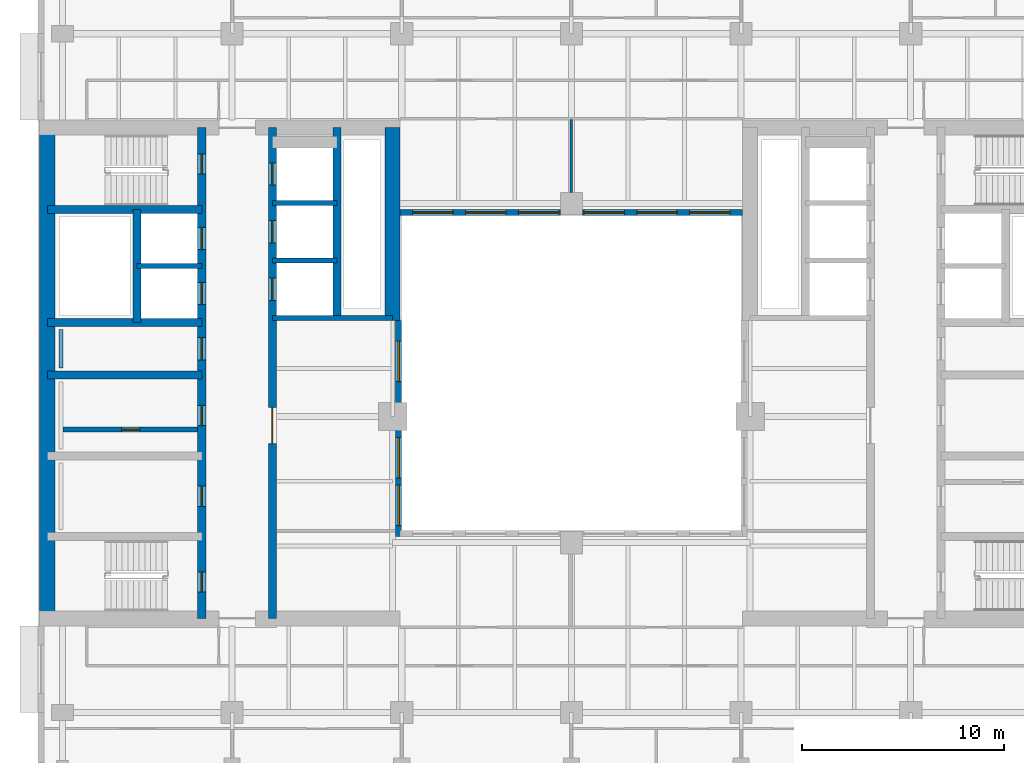
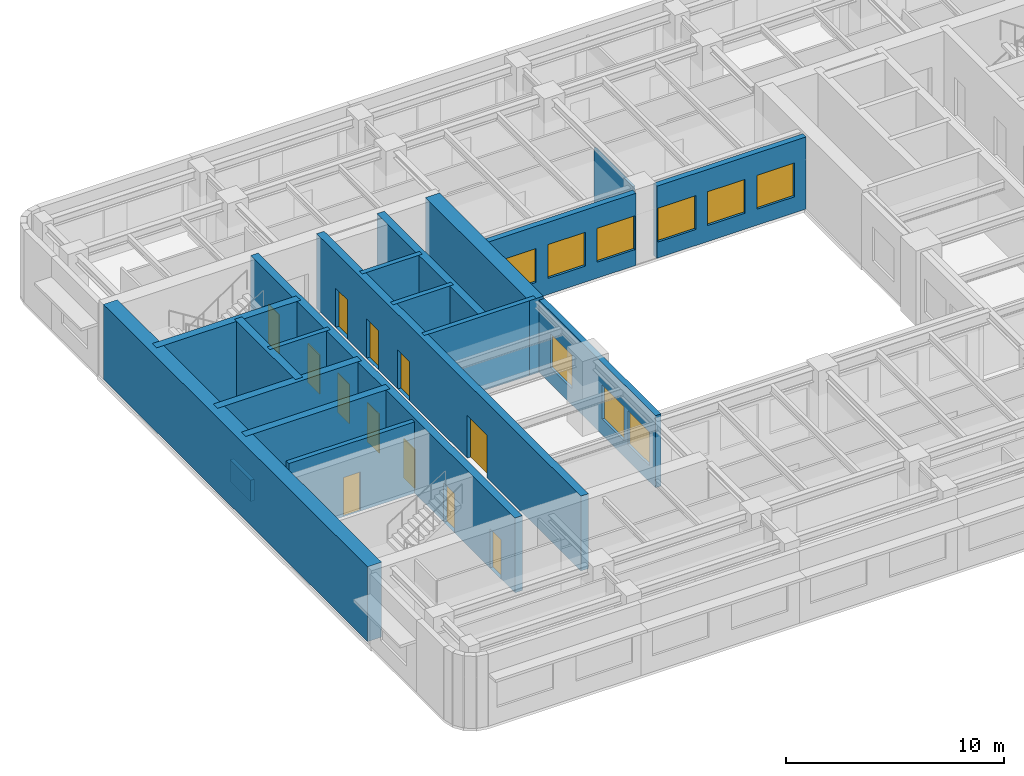
# One storey, part 4 of 11: 19 walls, 12 doors, 9 windows, 21 openings.
"""IFC4 building model written with IfcOpenShell, lengths in metres."""

from ifc_helpers import new_model, si_unit, direction, frame, frame_2d, origin, place, context, subcontext, project, spatial, rectangle, extrude, material, layer, layer_set, type_object, element, fill, save


model = new_model("IFC4")

# Units and contexts
model_context = context("Model", 3, precision=1e-05, world=origin(), true_north=direction((0.0, 1.0)))
body_context = subcontext(model_context, "Body", "Model", "MODEL_VIEW")
ifc_project = project(units=[si_unit("LENGTHUNIT", "METRE"), si_unit("AREAUNIT", "SQUARE_METRE"), si_unit("VOLUMEUNIT", "CUBIC_METRE"), si_unit("PLANEANGLEUNIT", "RADIAN"), si_unit("MASSUNIT", "GRAM", prefix="KILO")], contexts=[model_context])

# Site, building, storey
site_placement = place(None, origin())
site = spatial("IfcSite", under=ifc_project, at=site_placement, CompositionType="ELEMENT")
building_placement = place(site_placement, origin())
building = spatial("IfcBuilding", under=site, at=building_placement, Name="Claustro Exchange Tower", CompositionType="ELEMENT")
storey_placement = place(building_placement, frame((0.0, 0.0, 232.199951171875)))
storey = spatial("IfcBuildingStorey", under=building, at=storey_placement, Name="L53", CompositionType="ELEMENT", Elevation=232.199951171875)

# Wall
ifc_material_1 = material(Name="Laminated glass in aluminium frame", Category="aluminium")
ifc_layer_1 = layer(ifc_material_1, 0.1201171875)
ifc_layer_set_1 = layer_set([ifc_layer_1], Name="Laminated glass in aluminium frame")
wall_type_1 = type_object("IfcWallType", Name="P2 120 glazed partition", PredefinedType="PARTITIONING", material=ifc_layer_set_1)
wall_1_placement = place(storey_placement, frame((25.199951171875, 34.14892578125, 0.0), z_axis=(0.0, 0.0, 1.0), x_axis=(0.0, 1.0, 0.0)))
element("IfcWall", 1, at=wall_1_placement, inside=storey, type_object=wall_type_1, Name="Partition P2 L53", PredefinedType="PARTITIONING", context=body_context, shape_type="SweptSolid", body=[
    extrude(rectangle(XDim=3.593017578125, YDim=0.1201171875, at=frame_2d((1.79638671875, 0.0))), origin(), (0.0, 0.0, 1.0), 3.550048828125),
])

# Wall, opening, door
ifc_material_2 = material(Name="Concrete blockwork, rendered", Category="masonry")
ifc_layer_2 = layer(ifc_material_2, 0.25)
ifc_layer_set_2 = layer_set([ifc_layer_2], Name="Concrete blockwork, rendered")
wall_type_2 = type_object("IfcWallType", Name="P4 250 blockwork wall", PredefinedType="PARTITIONING", material=ifc_layer_set_2)
wall_2_placement = place(storey_placement, frame((0.02490234375, 22.39990234375, 0.0), z_axis=(0.0, 0.0, 1.0), x_axis=(1.0, 0.0, 0.0)))
wall_2 = element("IfcWall", 2, at=wall_2_placement, inside=storey, type_object=wall_type_2, Name="Partition P4 L53", PredefinedType="PARTITIONING", context=body_context, shape_type="SweptSolid", body=[
    extrude(rectangle(XDim=6.675048828125, YDim=0.25, at=frame_2d((3.33740234375, 0.0))), origin(), (0.0, 0.0, 1.0), 4.0),
])
opening_1_placement = place(wall_2_placement, frame((2.91259765625, 0.0, 0.0)))
opening_1 = element("IfcOpeningElement", 3, at=opening_1_placement, cuts=wall_2, Name="Opening D5", PredefinedType="OPENING", context=body_context, shape_type="SweptSolid", body=[
    extrude(rectangle(XDim=0.89990234375, YDim=2.199951171875, at=frame_2d((0.449951171875, 1.10009765625))), frame((0.0, 0.135009765625, 0.0), z_axis=(0.0, -1.0, 0.0), x_axis=(1.0, 0.0, 0.0)), (0.0, 0.0, 1.0), 0.27001953125),
])
ifc_material_3 = material(Name="Steel door, painted", Category="steel")
door_type_1 = type_object("IfcDoorType", Name="D5 900 x 2200 store door", OperationType="SINGLE_SWING_LEFT", PredefinedType="DOOR", material=ifc_material_3)
door_1_placement = place(opening_1_placement, frame((0.89990234375, 0.0, 0.0), z_axis=(0.0, 0.0, 1.0), x_axis=(-1.0, 0.0, 0.0)))
door_1 = element("IfcDoor", 4, at=door_1_placement, inside=storey, type_object=door_type_1, Name="Store door D5 L53", OperationType="SINGLE_SWING_LEFT", OverallHeight=2.199951171875, OverallWidth=0.89990234375, PredefinedType="DOOR", context=body_context, shape_type="SweptSolid", body=[
    extrude(rectangle(XDim=0.89990234375, YDim=2.199951171875, at=frame_2d((0.449951171875, 1.10009765625))), frame((0.0, 0.02490234375, 0.0), z_axis=(0.0, -1.0, 0.0), x_axis=(1.0, 0.0, 0.0)), (0.0, 0.0, 1.0), 0.050048828125),
])
fill(opening_1, door_1)

# Wall, openings, windows
ifc_material_4 = material(Name="Concrete HA-40 (C40/50), precast, white cement, acid-etched", Category="concrete")
ifc_layer_3 = layer(ifc_material_4, 0.300048828125)
ifc_layer_set_3 = layer_set([ifc_layer_3], Name="Concrete HA-40 (C40/50), precast, white cement, acid-etched")
wall_type_3 = type_object("IfcWallType", Name="PC1 300 precast concrete pier panel", PredefinedType="SOLIDWALL", material=ifc_layer_set_3)
wall_3_placement = place(storey_placement, frame((16.64990234375, 17.10009765625, 0.0), z_axis=(0.0, 0.0, 1.0), x_axis=(0.0, 1.0, 0.0)))
wall_3 = element("IfcWall", 5, at=wall_3_placement, inside=storey, type_object=wall_type_3, Name="Precast pier panel PC1 L53", PredefinedType="SOLIDWALL", context=body_context, shape_type="SweptSolid", body=[
    extrude(rectangle(XDim=10.699951171875, YDim=0.300048828125, at=frame_2d((5.35009765625, 0.0))), origin(), (0.0, 0.0, 1.0), 4.050048828125),
])
opening_2_placement = place(wall_3_placement, frame((0.550048828125, 0.0, 0.89990234375)))
opening_2 = element("IfcOpeningElement", 6, at=opening_2_placement, cuts=wall_3, Name="Opening W4", PredefinedType="OPENING", context=body_context, shape_type="SweptSolid", body=[
    extrude(rectangle(XDim=2.0, YDim=1.89990234375, at=frame_2d((1.0, 0.949951171875))), frame((0.0, 0.159912109375, 0.0), z_axis=(0.0, -1.0, 0.0), x_axis=(1.0, 0.0, 0.0)), (0.0, 0.0, 1.0), 0.320068359375),
])
opening_3_placement = place(wall_3_placement, frame((2.89990234375, 0.0, 0.89990234375)))
opening_3 = element("IfcOpeningElement", 7, at=opening_3_placement, cuts=wall_3, Name="Opening W4", PredefinedType="OPENING", context=body_context, shape_type="SweptSolid", body=[
    extrude(rectangle(XDim=2.0, YDim=1.89990234375, at=frame_2d((1.0, 0.949951171875))), frame((0.0, 0.159912109375, 0.0), z_axis=(0.0, -1.0, 0.0), x_axis=(1.0, 0.0, 0.0)), (0.0, 0.0, 1.0), 0.320068359375),
])
opening_4_placement = place(wall_3_placement, frame((7.675048828125, 0.0, 0.89990234375)))
opening_4 = element("IfcOpeningElement", 8, at=opening_4_placement, cuts=wall_3, Name="Opening W4", PredefinedType="OPENING", context=body_context, shape_type="SweptSolid", body=[
    extrude(rectangle(XDim=2.0, YDim=1.89990234375, at=frame_2d((1.0, 0.949951171875))), frame((0.0, 0.159912109375, 0.0), z_axis=(0.0, -1.0, 0.0), x_axis=(1.0, 0.0, 0.0)), (0.0, 0.0, 1.0), 0.320068359375),
])
ifc_material_5 = material(Name="Aluminium frame, clear double glazing", Category="aluminium")
window_type = type_object("IfcWindowType", Name="W4 2000 x 1900 light well window", PartitioningType="SINGLE_PANEL", PredefinedType="WINDOW", material=ifc_material_5)
window_1_placement = place(opening_2_placement, origin())
window_1 = element("IfcWindow", 9, at=window_1_placement, inside=storey, type_object=window_type, Name="Window W4 L53", OverallHeight=1.89990234375, OverallWidth=2.0, PartitioningType="SINGLE_PANEL", PredefinedType="WINDOW", context=body_context, shape_type="SweptSolid", body=[
    extrude(rectangle(XDim=2.0, YDim=1.89990234375, at=frame_2d((1.0, 0.949951171875))), frame((0.0, 0.030029296875, 0.0), z_axis=(0.0, -1.0, 0.0), x_axis=(1.0, 0.0, 0.0)), (0.0, 0.0, 1.0), 0.06005859375),
])
fill(opening_2, window_1)
window_2_placement = place(opening_3_placement, origin())
window_2 = element("IfcWindow", 10, at=window_2_placement, inside=storey, type_object=window_type, Name="Window W4 L53", OverallHeight=1.89990234375, OverallWidth=2.0, PartitioningType="SINGLE_PANEL", PredefinedType="WINDOW", context=body_context, shape_type="SweptSolid", body=[
    extrude(rectangle(XDim=2.0, YDim=1.89990234375, at=frame_2d((1.0, 0.949951171875))), frame((0.0, 0.030029296875, 0.0), z_axis=(0.0, -1.0, 0.0), x_axis=(1.0, 0.0, 0.0)), (0.0, 0.0, 1.0), 0.06005859375),
])
fill(opening_3, window_2)
window_3_placement = place(opening_4_placement, origin())
window_3 = element("IfcWindow", 11, at=window_3_placement, inside=storey, type_object=window_type, Name="Window W4 L53", OverallHeight=1.89990234375, OverallWidth=2.0, PartitioningType="SINGLE_PANEL", PredefinedType="WINDOW", context=body_context, shape_type="SweptSolid", body=[
    extrude(rectangle(XDim=2.0, YDim=1.89990234375, at=frame_2d((1.0, 0.949951171875))), frame((0.0, 0.030029296875, 0.0), z_axis=(0.0, -1.0, 0.0), x_axis=(1.0, 0.0, 0.0)), (0.0, 0.0, 1.0), 0.06005859375),
])
fill(opening_4, window_3)

wall_4_placement = place(storey_placement, frame((16.72509765625, 33.14990234375, 0.0), z_axis=(0.0, 0.0, 1.0), x_axis=(1.0, 0.0, 0.0)))
wall_4 = element("IfcWall", 12, at=wall_4_placement, inside=storey, type_object=wall_type_3, Name="Precast pier panel PC1 L53", PredefinedType="SOLIDWALL", context=body_context, shape_type="SweptSolid", body=[
    extrude(rectangle(XDim=7.9248046875, YDim=0.300048828125, at=frame_2d((3.96240234375, 0.0))), origin(), (0.0, 0.0, 1.0), 4.050048828125),
])
opening_5_placement = place(wall_4_placement, frame((0.61865234375, 0.0, 0.89990234375)))
opening_5 = element("IfcOpeningElement", 13, at=opening_5_placement, cuts=wall_4, Name="Opening W4", PredefinedType="OPENING", context=body_context, shape_type="SweptSolid", body=[
    extrude(rectangle(XDim=2.0, YDim=1.89990234375, at=frame_2d((1.0, 0.949951171875))), frame((0.0, 0.159912109375, 0.0), z_axis=(0.0, -1.0, 0.0), x_axis=(1.0, 0.0, 0.0)), (0.0, 0.0, 1.0), 0.320068359375),
])
opening_6_placement = place(wall_4_placement, frame((3.237548828125, 0.0, 0.89990234375)))
opening_6 = element("IfcOpeningElement", 14, at=opening_6_placement, cuts=wall_4, Name="Opening W4", PredefinedType="OPENING", context=body_context, shape_type="SweptSolid", body=[
    extrude(rectangle(XDim=2.0, YDim=1.89990234375, at=frame_2d((1.0, 0.949951171875))), frame((0.0, 0.159912109375, 0.0), z_axis=(0.0, -1.0, 0.0), x_axis=(1.0, 0.0, 0.0)), (0.0, 0.0, 1.0), 0.320068359375),
])
opening_7_placement = place(wall_4_placement, frame((5.856201171875, 0.0, 0.89990234375)))
opening_7 = element("IfcOpeningElement", 15, at=opening_7_placement, cuts=wall_4, Name="Opening W4", PredefinedType="OPENING", context=body_context, shape_type="SweptSolid", body=[
    extrude(rectangle(XDim=2.0, YDim=1.89990234375, at=frame_2d((1.0, 0.949951171875))), frame((0.0, 0.159912109375, 0.0), z_axis=(0.0, -1.0, 0.0), x_axis=(1.0, 0.0, 0.0)), (0.0, 0.0, 1.0), 0.320068359375),
])
window_4_placement = place(opening_5_placement, origin())
window_4 = element("IfcWindow", 16, at=window_4_placement, inside=storey, type_object=window_type, Name="Window W4 L53", OverallHeight=1.89990234375, OverallWidth=2.0, PartitioningType="SINGLE_PANEL", PredefinedType="WINDOW", context=body_context, shape_type="SweptSolid", body=[
    extrude(rectangle(XDim=2.0, YDim=1.89990234375, at=frame_2d((1.0, 0.949951171875))), frame((0.0, 0.030029296875, 0.0), z_axis=(0.0, -1.0, 0.0), x_axis=(1.0, 0.0, 0.0)), (0.0, 0.0, 1.0), 0.06005859375),
])
fill(opening_5, window_4)
window_5_placement = place(opening_6_placement, origin())
window_5 = element("IfcWindow", 17, at=window_5_placement, inside=storey, type_object=window_type, Name="Window W4 L53", OverallHeight=1.89990234375, OverallWidth=2.0, PartitioningType="SINGLE_PANEL", PredefinedType="WINDOW", context=body_context, shape_type="SweptSolid", body=[
    extrude(rectangle(XDim=2.0, YDim=1.89990234375, at=frame_2d((1.0, 0.949951171875))), frame((0.0, 0.030029296875, 0.0), z_axis=(0.0, -1.0, 0.0), x_axis=(1.0, 0.0, 0.0)), (0.0, 0.0, 1.0), 0.06005859375),
])
fill(opening_6, window_5)
window_6_placement = place(opening_7_placement, origin())
window_6 = element("IfcWindow", 18, at=window_6_placement, inside=storey, type_object=window_type, Name="Window W4 L53", OverallHeight=1.89990234375, OverallWidth=2.0, PartitioningType="SINGLE_PANEL", PredefinedType="WINDOW", context=body_context, shape_type="SweptSolid", body=[
    extrude(rectangle(XDim=2.0, YDim=1.89990234375, at=frame_2d((1.0, 0.949951171875))), frame((0.0, 0.030029296875, 0.0), z_axis=(0.0, -1.0, 0.0), x_axis=(1.0, 0.0, 0.0)), (0.0, 0.0, 1.0), 0.06005859375),
])
fill(opening_7, window_6)

wall_5_placement = place(storey_placement, frame((25.75, 33.14990234375, 0.0), z_axis=(0.0, 0.0, 1.0), x_axis=(1.0, 0.0, 0.0)))
wall_5 = element("IfcWall", 19, at=wall_5_placement, inside=storey, type_object=wall_type_3, Name="Precast pier panel PC1 L53", PredefinedType="SOLIDWALL", context=body_context, shape_type="SweptSolid", body=[
    extrude(rectangle(XDim=7.925048828125, YDim=0.300048828125, at=frame_2d((3.96240234375, 0.0))), origin(), (0.0, 0.0, 1.0), 4.050048828125),
])
opening_8_placement = place(wall_5_placement, frame((0.068603515625, 0.0, 0.89990234375)))
opening_8 = element("IfcOpeningElement", 20, at=opening_8_placement, cuts=wall_5, Name="Opening W4", PredefinedType="OPENING", context=body_context, shape_type="SweptSolid", body=[
    extrude(rectangle(XDim=2.0, YDim=1.89990234375, at=frame_2d((1.0, 0.949951171875))), frame((0.0, 0.159912109375, 0.0), z_axis=(0.0, -1.0, 0.0), x_axis=(1.0, 0.0, 0.0)), (0.0, 0.0, 1.0), 0.320068359375),
])
opening_9_placement = place(wall_5_placement, frame((2.6875, 0.0, 0.89990234375)))
opening_9 = element("IfcOpeningElement", 21, at=opening_9_placement, cuts=wall_5, Name="Opening W4", PredefinedType="OPENING", context=body_context, shape_type="SweptSolid", body=[
    extrude(rectangle(XDim=2.0, YDim=1.89990234375, at=frame_2d((1.0, 0.949951171875))), frame((0.0, 0.159912109375, 0.0), z_axis=(0.0, -1.0, 0.0), x_axis=(1.0, 0.0, 0.0)), (0.0, 0.0, 1.0), 0.320068359375),
])
opening_10_placement = place(wall_5_placement, frame((5.30615234375, 0.0, 0.89990234375)))
opening_10 = element("IfcOpeningElement", 22, at=opening_10_placement, cuts=wall_5, Name="Opening W4", PredefinedType="OPENING", context=body_context, shape_type="SweptSolid", body=[
    extrude(rectangle(XDim=2.0, YDim=1.89990234375, at=frame_2d((1.0, 0.949951171875))), frame((0.0, 0.159912109375, 0.0), z_axis=(0.0, -1.0, 0.0), x_axis=(1.0, 0.0, 0.0)), (0.0, 0.0, 1.0), 0.320068359375),
])
window_7_placement = place(opening_8_placement, origin())
window_7 = element("IfcWindow", 23, at=window_7_placement, inside=storey, type_object=window_type, Name="Window W4 L53", OverallHeight=1.89990234375, OverallWidth=2.0, PartitioningType="SINGLE_PANEL", PredefinedType="WINDOW", context=body_context, shape_type="SweptSolid", body=[
    extrude(rectangle(XDim=2.0, YDim=1.89990234375, at=frame_2d((1.0, 0.949951171875))), frame((0.0, 0.030029296875, 0.0), z_axis=(0.0, -1.0, 0.0), x_axis=(1.0, 0.0, 0.0)), (0.0, 0.0, 1.0), 0.06005859375),
])
fill(opening_8, window_7)
window_8_placement = place(opening_9_placement, origin())
window_8 = element("IfcWindow", 24, at=window_8_placement, inside=storey, type_object=window_type, Name="Window W4 L53", OverallHeight=1.89990234375, OverallWidth=2.0, PartitioningType="SINGLE_PANEL", PredefinedType="WINDOW", context=body_context, shape_type="SweptSolid", body=[
    extrude(rectangle(XDim=2.0, YDim=1.89990234375, at=frame_2d((1.0, 0.949951171875))), frame((0.0, 0.030029296875, 0.0), z_axis=(0.0, -1.0, 0.0), x_axis=(1.0, 0.0, 0.0)), (0.0, 0.0, 1.0), 0.06005859375),
])
fill(opening_9, window_8)
window_9_placement = place(opening_10_placement, origin())
window_9 = element("IfcWindow", 25, at=window_9_placement, inside=storey, type_object=window_type, Name="Window W4 L53", OverallHeight=1.89990234375, OverallWidth=2.0, PartitioningType="SINGLE_PANEL", PredefinedType="WINDOW", context=body_context, shape_type="SweptSolid", body=[
    extrude(rectangle(XDim=2.0, YDim=1.89990234375, at=frame_2d((1.0, 0.949951171875))), frame((0.0, 0.030029296875, 0.0), z_axis=(0.0, -1.0, 0.0), x_axis=(1.0, 0.0, 0.0)), (0.0, 0.0, 1.0), 0.06005859375),
])
fill(opening_10, window_9)

# Walls
ifc_material_6 = material(Name="Gypsum board on steel studs, tiled", Category="steel")
ifc_layer_4 = layer(ifc_material_6, 0.199951171875)
ifc_layer_set_4 = layer_set([ifc_layer_4], Name="Gypsum board on steel studs, tiled")
wall_type_4 = type_object("IfcWallType", Name="PW1 200 WC duct wall", PredefinedType="PLUMBINGWALL", material=ifc_layer_set_4)
wall_6_placement = place(storey_placement, frame((-0.074951171875, 25.449951171875, 0.0), z_axis=(0.0, 0.0, 1.0), x_axis=(0.0, 1.0, 0.0)))
element("IfcWall", 26, at=wall_6_placement, inside=storey, type_object=wall_type_4, Name="WC duct wall PW1 L53", PredefinedType="PLUMBINGWALL", context=body_context, shape_type="SweptSolid", body=[
    extrude(rectangle(XDim=1.900146484375, YDim=0.199951171875, at=frame_2d((0.9501953125, 0.0))), origin(), (0.0, 0.0, 1.0), 1.199951171875),
])
ifc_material_7 = material(Name="Concrete HA-70 (C70/85)", Category="concrete")
ifc_layer_5 = layer(ifc_material_7, 0.75)
ifc_layer_set_5 = layer_set([ifc_layer_5], Name="Concrete HA-70 (C70/85)")
wall_type_5 = type_object("IfcWallType", Name="SW2X 750 exposed core shear wall, board-marked face", PredefinedType="SHEAR", material=ifc_layer_set_5)
wall_7_placement = place(storey_placement, frame((-0.75, 13.050048828125, 0.0), z_axis=(0.0, 0.0, 1.0), x_axis=(0.0, 1.0, 0.0)))
element("IfcWall", 27, at=wall_7_placement, inside=storey, type_object=wall_type_5, Name="Core wall SW2X W core W face L53", PredefinedType="SHEAR", context=body_context, shape_type="SweptSolid", body=[
    extrude(rectangle(XDim=24.300048828125, YDim=0.75, at=frame_2d((12.14990234375, 0.0))), origin(), (0.0, 0.0, 1.0), 4.199951171875),
])
wall_8_placement = place(storey_placement, frame((16.35009765625, 27.800048828125, 0.0), z_axis=(0.0, 0.0, 1.0), x_axis=(0.0, 1.0, 0.0)))
element("IfcWall", 28, at=wall_8_placement, inside=storey, type_object=wall_type_5, Name="Core wall SW2X W core E face L53", PredefinedType="SHEAR", context=body_context, shape_type="SweptSolid", body=[
    extrude(rectangle(XDim=9.550048828125, YDim=0.75, at=frame_2d((4.77490234375, 0.0))), origin(), (0.0, 0.0, 1.0), 4.199951171875),
])

# Wall, openings, doors
ifc_material_8 = material(Name="Concrete HA-50 (C50/60)", Category="concrete")
ifc_layer_6 = layer(ifc_material_8, 0.39990234375)
ifc_layer_set_6 = layer_set([ifc_layer_6], Name="Concrete HA-50 (C50/60)")
wall_type_6 = type_object("IfcWallType", Name="SW4 400 internal core wall", PredefinedType="SHEAR", material=ifc_layer_set_6)
wall_9_placement = place(storey_placement, frame((6.89990234375, 13.050048828125, 0.0), z_axis=(0.0, 0.0, 1.0), x_axis=(0.0, 1.0, 0.0)))
wall_9 = element("IfcWall", 29, at=wall_9_placement, inside=storey, type_object=wall_type_6, Name="Internal core wall SW4 W core L53", PredefinedType="SHEAR", context=body_context, shape_type="SweptSolid", body=[
    extrude(rectangle(XDim=24.300048828125, YDim=0.39990234375, at=frame_2d((12.14990234375, 0.0))), origin(), (0.0, 0.0, 1.0), 4.199951171875),
])
opening_11_placement = place(wall_9_placement, frame((1.300048828125, 0.0, 0.0)))
opening_11 = element("IfcOpeningElement", 30, at=opening_11_placement, cuts=wall_9, Name="Opening D4", PredefinedType="OPENING", context=body_context, shape_type="SweptSolid", body=[
    extrude(rectangle(XDim=1.0, YDim=2.199951171875, at=frame_2d((0.5, 1.10009765625))), frame((0.0, 0.2099609375, 0.0), z_axis=(0.0, -1.0, 0.0), x_axis=(1.0, 0.0, 0.0)), (0.0, 0.0, 1.0), 0.419921875),
])
opening_12_placement = place(wall_9_placement, frame((22.0, 0.0, 0.0)))
opening_12 = element("IfcOpeningElement", 31, at=opening_12_placement, cuts=wall_9, Name="Opening D4", PredefinedType="OPENING", context=body_context, shape_type="SweptSolid", body=[
    extrude(rectangle(XDim=1.0, YDim=2.199951171875, at=frame_2d((0.5, 1.10009765625))), frame((0.0, 0.2099609375, 0.0), z_axis=(0.0, -1.0, 0.0), x_axis=(1.0, 0.0, 0.0)), (0.0, 0.0, 1.0), 0.419921875),
])
opening_13_placement = place(wall_9_placement, frame((5.550048828125, 0.0, 0.0)))
opening_13 = element("IfcOpeningElement", 32, at=opening_13_placement, cuts=wall_9, Name="Opening D1", PredefinedType="OPENING", context=body_context, shape_type="SweptSolid", body=[
    extrude(rectangle(XDim=1.0, YDim=2.199951171875, at=frame_2d((0.5, 1.10009765625))), frame((0.0, 0.2099609375, 0.0), z_axis=(0.0, -1.0, 0.0), x_axis=(1.0, 0.0, 0.0)), (0.0, 0.0, 1.0), 0.419921875),
])
opening_14_placement = place(wall_9_placement, frame((9.550048828125, 0.0, 0.0)))
opening_14 = element("IfcOpeningElement", 33, at=opening_14_placement, cuts=wall_9, Name="Opening D1", PredefinedType="OPENING", context=body_context, shape_type="SweptSolid", body=[
    extrude(rectangle(XDim=1.0, YDim=2.199951171875, at=frame_2d((0.5, 1.10009765625))), frame((0.0, 0.2099609375, 0.0), z_axis=(0.0, -1.0, 0.0), x_axis=(1.0, 0.0, 0.0)), (0.0, 0.0, 1.0), 0.419921875),
])
opening_15_placement = place(wall_9_placement, frame((12.800048828125, 0.0, 0.0)))
opening_15 = element("IfcOpeningElement", 34, at=opening_15_placement, cuts=wall_9, Name="Opening D10", PredefinedType="OPENING", context=body_context, shape_type="SweptSolid", body=[
    extrude(rectangle(XDim=1.10009765625, YDim=2.199951171875, at=frame_2d((0.550048828125, 1.10009765625))), frame((0.0, 0.2099609375, 0.0), z_axis=(0.0, -1.0, 0.0), x_axis=(1.0, 0.0, 0.0)), (0.0, 0.0, 1.0), 0.419921875),
])
opening_16_placement = place(wall_9_placement, frame((15.53759765625, 0.0, 0.0)))
opening_16 = element("IfcOpeningElement", 35, at=opening_16_placement, cuts=wall_9, Name="Opening LD", PredefinedType="OPENING", context=body_context, shape_type="SweptSolid", body=[
    extrude(rectangle(XDim=1.10009765625, YDim=2.199951171875, at=frame_2d((0.550048828125, 1.10009765625))), frame((0.0, 0.2099609375, 0.0), z_axis=(0.0, -1.0, 0.0), x_axis=(1.0, 0.0, 0.0)), (0.0, 0.0, 1.0), 0.419921875),
])
opening_17_placement = place(wall_9_placement, frame((18.262451171875, 0.0, 0.0)))
opening_17 = element("IfcOpeningElement", 36, at=opening_17_placement, cuts=wall_9, Name="Opening LD", PredefinedType="OPENING", context=body_context, shape_type="SweptSolid", body=[
    extrude(rectangle(XDim=1.10009765625, YDim=2.199951171875, at=frame_2d((0.550048828125, 1.10009765625))), frame((0.0, 0.2099609375, 0.0), z_axis=(0.0, -1.0, 0.0), x_axis=(1.0, 0.0, 0.0)), (0.0, 0.0, 1.0), 0.419921875),
])
ifc_material_9 = material(Name="Timber door, oak veneer", Category="wood")
door_type_2 = type_object("IfcDoorType", Name="D1 1000 x 2200 single door", OperationType="SINGLE_SWING_LEFT", PredefinedType="DOOR", material=ifc_material_9)
door_2_placement = place(opening_13_placement, origin())
door_2 = element("IfcDoor", 37, at=door_2_placement, inside=storey, type_object=door_type_2, Name="Door D1 L53", OperationType="SINGLE_SWING_RIGHT", OverallHeight=2.199951171875, OverallWidth=1.0, PredefinedType="DOOR", context=body_context, shape_type="SweptSolid", body=[
    extrude(rectangle(XDim=1.0, YDim=2.199951171875, at=frame_2d((0.5, 1.10009765625))), frame((0.0, 0.02490234375, 0.0), z_axis=(0.0, -1.0, 0.0), x_axis=(1.0, 0.0, 0.0)), (0.0, 0.0, 1.0), 0.050048828125),
])
fill(opening_13, door_2)
door_3_placement = place(opening_14_placement, origin())
door_3 = element("IfcDoor", 38, at=door_3_placement, inside=storey, type_object=door_type_2, Name="Door D1 L53", OperationType="SINGLE_SWING_LEFT", OverallHeight=2.199951171875, OverallWidth=1.0, PredefinedType="DOOR", context=body_context, shape_type="SweptSolid", body=[
    extrude(rectangle(XDim=1.0, YDim=2.199951171875, at=frame_2d((0.5, 1.10009765625))), frame((0.0, 0.02490234375, 0.0), z_axis=(0.0, -1.0, 0.0), x_axis=(1.0, 0.0, 0.0)), (0.0, 0.0, 1.0), 0.050048828125),
])
fill(opening_14, door_3)
ifc_material_10 = material(Name="Timber door, oak veneer", Category="wood")
door_type_3 = type_object("IfcDoorType", Name="D10 1100 x 2200 accessible WC door", OperationType="SINGLE_SWING_LEFT", PredefinedType="DOOR", material=ifc_material_10)
door_4_placement = place(opening_15_placement, frame((1.10009765625, 0.0, 0.0), z_axis=(0.0, 0.0, 1.0), x_axis=(-1.0, 0.0, 0.0)))
door_4 = element("IfcDoor", 39, at=door_4_placement, inside=storey, type_object=door_type_3, Name="Accessible WC door D10 L53", OperationType="SINGLE_SWING_LEFT", OverallHeight=2.199951171875, OverallWidth=1.10009765625, PredefinedType="DOOR", context=body_context, shape_type="SweptSolid", body=[
    extrude(rectangle(XDim=1.10009765625, YDim=2.199951171875, at=frame_2d((0.550048828125, 1.10009765625))), frame((0.0, 0.02490234375, 0.0), z_axis=(0.0, -1.0, 0.0), x_axis=(1.0, 0.0, 0.0)), (0.0, 0.0, 1.0), 0.050048828125),
])
fill(opening_15, door_4)
ifc_material_11 = material(Name="Steel fire door, painted", Category="steel")
door_type_4 = type_object("IfcDoorType", Name="D4 1000 x 2200 fire-rated stair door", OperationType="SINGLE_SWING_LEFT", PredefinedType="DOOR", material=ifc_material_11)
door_5_placement = place(opening_11_placement, origin())
door_5 = element("IfcDoor", 40, at=door_5_placement, inside=storey, type_object=door_type_4, Name="Stair door D4 L53", OperationType="SINGLE_SWING_LEFT", OverallHeight=2.199951171875, OverallWidth=1.0, PredefinedType="DOOR", context=body_context, shape_type="SweptSolid", body=[
    extrude(rectangle(XDim=1.0, YDim=2.199951171875, at=frame_2d((0.5, 1.10009765625))), frame((0.0, 0.02490234375, 0.0), z_axis=(0.0, -1.0, 0.0), x_axis=(1.0, 0.0, 0.0)), (0.0, 0.0, 1.0), 0.050048828125),
])
fill(opening_11, door_5)
door_6_placement = place(opening_12_placement, origin())
door_6 = element("IfcDoor", 41, at=door_6_placement, inside=storey, type_object=door_type_4, Name="Stair door D4 L53", OperationType="SINGLE_SWING_RIGHT", OverallHeight=2.199951171875, OverallWidth=1.0, PredefinedType="DOOR", context=body_context, shape_type="SweptSolid", body=[
    extrude(rectangle(XDim=1.0, YDim=2.199951171875, at=frame_2d((0.5, 1.10009765625))), frame((0.0, 0.02490234375, 0.0), z_axis=(0.0, -1.0, 0.0), x_axis=(1.0, 0.0, 0.0)), (0.0, 0.0, 1.0), 0.050048828125),
])
fill(opening_12, door_6)
ifc_material_12 = material(Name="Stainless steel sliding door", Category="steel")
door_type_5 = type_object("IfcDoorType", Name="LD 1100 x 2200 lift landing door", OperationType="DOUBLE_DOOR_SLIDING", PredefinedType="DOOR", material=ifc_material_12)
door_7_placement = place(opening_16_placement, origin())
door_7 = element("IfcDoor", 42, at=door_7_placement, inside=storey, type_object=door_type_5, Name="Lift landing door LEW1 LD L53", OperationType="DOUBLE_DOOR_SLIDING", OverallHeight=2.199951171875, OverallWidth=1.10009765625, PredefinedType="DOOR", context=body_context, shape_type="SweptSolid", body=[
    extrude(rectangle(XDim=1.10009765625, YDim=2.199951171875, at=frame_2d((0.550048828125, 1.10009765625))), frame((0.0, 0.02490234375, 0.0), z_axis=(0.0, -1.0, 0.0), x_axis=(1.0, 0.0, 0.0)), (0.0, 0.0, 1.0), 0.050048828125),
])
fill(opening_16, door_7)
door_8_placement = place(opening_17_placement, origin())
door_8 = element("IfcDoor", 43, at=door_8_placement, inside=storey, type_object=door_type_5, Name="Lift landing door LEW2 LD L53", OperationType="DOUBLE_DOOR_SLIDING", OverallHeight=2.199951171875, OverallWidth=1.10009765625, PredefinedType="DOOR", context=body_context, shape_type="SweptSolid", body=[
    extrude(rectangle(XDim=1.10009765625, YDim=2.199951171875, at=frame_2d((0.550048828125, 1.10009765625))), frame((0.0, 0.02490234375, 0.0), z_axis=(0.0, -1.0, 0.0), x_axis=(1.0, 0.0, 0.0)), (0.0, 0.0, 1.0), 0.050048828125),
])
fill(opening_17, door_8)

wall_10_placement = place(storey_placement, frame((10.39990234375, 13.050048828125, 0.0), z_axis=(0.0, 0.0, 1.0), x_axis=(0.0, 1.0, 0.0)))
wall_10 = element("IfcWall", 44, at=wall_10_placement, inside=storey, type_object=wall_type_6, Name="Internal core wall SW4 W core L53", PredefinedType="SHEAR", context=body_context, shape_type="SweptSolid", body=[
    extrude(rectangle(XDim=24.300048828125, YDim=0.39990234375, at=frame_2d((12.14990234375, 0.0))), origin(), (0.0, 0.0, 1.0), 4.199951171875),
])
opening_18_placement = place(wall_10_placement, frame((15.75, 0.0, 0.0)))
opening_18 = element("IfcOpeningElement", 45, at=opening_18_placement, cuts=wall_10, Name="Opening LD", PredefinedType="OPENING", context=body_context, shape_type="SweptSolid", body=[
    extrude(rectangle(XDim=1.10009765625, YDim=2.199951171875, at=frame_2d((0.550048828125, 1.10009765625))), frame((0.0, 0.2099609375, 0.0), z_axis=(0.0, -1.0, 0.0), x_axis=(1.0, 0.0, 0.0)), (0.0, 0.0, 1.0), 0.419921875),
])
opening_19_placement = place(wall_10_placement, frame((18.60009765625, 0.0, 0.0)))
opening_19 = element("IfcOpeningElement", 46, at=opening_19_placement, cuts=wall_10, Name="Opening LD", PredefinedType="OPENING", context=body_context, shape_type="SweptSolid", body=[
    extrude(rectangle(XDim=1.10009765625, YDim=2.199951171875, at=frame_2d((0.550048828125, 1.10009765625))), frame((0.0, 0.2099609375, 0.0), z_axis=(0.0, -1.0, 0.0), x_axis=(1.0, 0.0, 0.0)), (0.0, 0.0, 1.0), 0.419921875),
])
opening_20_placement = place(wall_10_placement, frame((21.449951171875, 0.0, 0.0)))
opening_20 = element("IfcOpeningElement", 47, at=opening_20_placement, cuts=wall_10, Name="Opening LD", PredefinedType="OPENING", context=body_context, shape_type="SweptSolid", body=[
    extrude(rectangle(XDim=1.10009765625, YDim=2.199951171875, at=frame_2d((0.550048828125, 1.10009765625))), frame((0.0, 0.2099609375, 0.0), z_axis=(0.0, -1.0, 0.0), x_axis=(1.0, 0.0, 0.0)), (0.0, 0.0, 1.0), 0.419921875),
])
opening_21_placement = place(wall_10_placement, frame((8.64990234375, 0.0, 0.0)))
opening_21 = element("IfcOpeningElement", 48, at=opening_21_placement, cuts=wall_10, Name="Opening D3", PredefinedType="OPENING", context=body_context, shape_type="SweptSolid", body=[
    extrude(rectangle(XDim=1.800048828125, YDim=2.39990234375, at=frame_2d((0.89990234375, 1.199951171875))), frame((0.0, 0.2099609375, 0.0), z_axis=(0.0, -1.0, 0.0), x_axis=(1.0, 0.0, 0.0)), (0.0, 0.0, 1.0), 0.419921875),
])
ifc_material_13 = material(Name="Steel fire door, painted", Category="steel")
door_type_6 = type_object("IfcDoorType", Name="D3 1800 x 2400 fire-rated lobby double door", OperationType="DOUBLE_DOOR_SINGLE_SWING", PredefinedType="DOOR", material=ifc_material_13)
door_9_placement = place(opening_21_placement, frame((1.800048828125, 0.0, 0.0), z_axis=(0.0, 0.0, 1.0), x_axis=(-1.0, 0.0, 0.0)))
door_9 = element("IfcDoor", 49, at=door_9_placement, inside=storey, type_object=door_type_6, Name="Core zone door D3 L53", OperationType="DOUBLE_DOOR_SINGLE_SWING", OverallHeight=2.39990234375, OverallWidth=1.800048828125, PredefinedType="DOOR", context=body_context, shape_type="SweptSolid", body=[
    extrude(rectangle(XDim=1.800048828125, YDim=2.39990234375, at=frame_2d((0.89990234375, 1.199951171875))), frame((0.0, 0.02490234375, 0.0), z_axis=(0.0, -1.0, 0.0), x_axis=(1.0, 0.0, 0.0)), (0.0, 0.0, 1.0), 0.050048828125),
])
fill(opening_21, door_9)
door_10_placement = place(opening_18_placement, origin())
door_10 = element("IfcDoor", 50, at=door_10_placement, inside=storey, type_object=door_type_5, Name="Lift landing door LHW1 LD L53", OperationType="DOUBLE_DOOR_SLIDING", OverallHeight=2.199951171875, OverallWidth=1.10009765625, PredefinedType="DOOR", context=body_context, shape_type="SweptSolid", body=[
    extrude(rectangle(XDim=1.10009765625, YDim=2.199951171875, at=frame_2d((0.550048828125, 1.10009765625))), frame((0.0, 0.02490234375, 0.0), z_axis=(0.0, -1.0, 0.0), x_axis=(1.0, 0.0, 0.0)), (0.0, 0.0, 1.0), 0.050048828125),
])
fill(opening_18, door_10)
door_11_placement = place(opening_19_placement, origin())
door_11 = element("IfcDoor", 51, at=door_11_placement, inside=storey, type_object=door_type_5, Name="Lift landing door LHW2 LD L53", OperationType="DOUBLE_DOOR_SLIDING", OverallHeight=2.199951171875, OverallWidth=1.10009765625, PredefinedType="DOOR", context=body_context, shape_type="SweptSolid", body=[
    extrude(rectangle(XDim=1.10009765625, YDim=2.199951171875, at=frame_2d((0.550048828125, 1.10009765625))), frame((0.0, 0.02490234375, 0.0), z_axis=(0.0, -1.0, 0.0), x_axis=(1.0, 0.0, 0.0)), (0.0, 0.0, 1.0), 0.050048828125),
])
fill(opening_19, door_11)
door_12_placement = place(opening_20_placement, origin())
door_12 = element("IfcDoor", 52, at=door_12_placement, inside=storey, type_object=door_type_5, Name="Lift landing door LSW1 LD L53", OperationType="DOUBLE_DOOR_SLIDING", OverallHeight=2.199951171875, OverallWidth=1.10009765625, PredefinedType="DOOR", context=body_context, shape_type="SweptSolid", body=[
    extrude(rectangle(XDim=1.10009765625, YDim=2.199951171875, at=frame_2d((0.550048828125, 1.10009765625))), frame((0.0, 0.02490234375, 0.0), z_axis=(0.0, -1.0, 0.0), x_axis=(1.0, 0.0, 0.0)), (0.0, 0.0, 1.0), 0.050048828125),
])
fill(opening_20, door_12)

# Walls
wall_11_placement = place(storey_placement, frame((13.60009765625, 27.925048828125, 0.0), z_axis=(0.0, 0.0, 1.0), x_axis=(0.0, 1.0, 0.0)))
element("IfcWall", 53, at=wall_11_placement, inside=storey, type_object=wall_type_6, Name="Internal core wall SW4 W core L53", PredefinedType="SHEAR", context=body_context, shape_type="SweptSolid", body=[
    extrude(rectangle(XDim=9.425048828125, YDim=0.39990234375, at=frame_2d((4.71240234375, 0.0))), origin(), (0.0, 0.0, 1.0), 4.199951171875),
])
for number, where, z_axis, x_axis, name in (
    (54, (-0.75, 25.10009765625, 0.0), (0.0, 0.0, 1.0), (1.0, 0.0, 0.0), "Internal core wall SW4 W core L53"),
    (55, (-0.75, 27.699951171875, 0.0), (0.0, 0.0, 1.0), (1.0, 0.0, 0.0), "Internal core wall SW4 W core L53"),
    (56, (-0.75, 33.300048828125, 0.0), (0.0, 0.0, 1.0), (1.0, 0.0, 0.0), "Internal core wall SW4 W core L53"),
):
    element("IfcWall", number, at=place(storey_placement, frame(where, z_axis=z_axis, x_axis=x_axis)), inside=storey, type_object=wall_type_6, Name=name, PredefinedType="SHEAR", context=body_context, shape_type="SweptSolid", body=[
        extrude(rectangle(XDim=7.64990234375, YDim=0.39990234375, at=frame_2d((3.824951171875, 0.0))), origin(), (0.0, 0.0, 1.0), 4.199951171875),
    ])
wall_12_placement = place(storey_placement, frame((3.699951171875, 27.699951171875, 0.0), z_axis=(0.0, 0.0, 1.0), x_axis=(0.0, 1.0, 0.0)))
element("IfcWall", 57, at=wall_12_placement, inside=storey, type_object=wall_type_6, Name="Internal core wall SW4 W core L53", PredefinedType="SHEAR", context=body_context, shape_type="SweptSolid", body=[
    extrude(rectangle(XDim=5.60009765625, YDim=0.39990234375, at=frame_2d((2.800048828125, 0.0))), origin(), (0.0, 0.0, 1.0), 4.199951171875),
])
ifc_material_14 = material(Name="Concrete HA-50 (C50/60)", Category="concrete")
ifc_layer_7 = layer(ifc_material_14, 0.25)
ifc_layer_set_7 = layer_set([ifc_layer_7], Name="Concrete HA-50 (C50/60)")
wall_type_7 = type_object("IfcWallType", Name="SW5 250 lift shaft divider wall", PredefinedType="SHEAR", material=ifc_layer_set_7)
wall_13_placement = place(storey_placement, frame((3.699951171875, 30.5, 0.0), z_axis=(0.0, 0.0, 1.0), x_axis=(1.0, 0.0, 0.0)))
element("IfcWall", 58, at=wall_13_placement, inside=storey, type_object=wall_type_7, Name="Lift shaft wall W core L53", PredefinedType="SHEAR", context=body_context, shape_type="SweptSolid", body=[
    extrude(rectangle(XDim=3.199951171875, YDim=0.25, at=frame_2d((1.60009765625, 0.0))), origin(), (0.0, 0.0, 1.0), 4.199951171875),
])
wall_14_placement = place(storey_placement, frame((10.39990234375, 27.925048828125, 0.0), z_axis=(0.0, 0.0, 1.0), x_axis=(1.0, 0.0, 0.0)))
element("IfcWall", 59, at=wall_14_placement, inside=storey, type_object=wall_type_7, Name="Core step wall W core L53", PredefinedType="SHEAR", context=body_context, shape_type="SweptSolid", body=[
    extrude(rectangle(XDim=5.9501953125, YDim=0.25, at=frame_2d((2.97509765625, 0.0))), origin(), (0.0, 0.0, 1.0), 4.199951171875),
])
for number, where, z_axis, x_axis, name in (
    (60, (10.39990234375, 30.77490234375, 0.0), (0.0, 0.0, 1.0), (1.0, 0.0, 0.0), "Lift shaft wall W core L53"),
    (61, (10.39990234375, 33.625, 0.0), (0.0, 0.0, 1.0), (1.0, 0.0, 0.0), "Lift shaft wall W core L53"),
):
    element("IfcWall", number, at=place(storey_placement, frame(where, z_axis=z_axis, x_axis=x_axis)), inside=storey, type_object=wall_type_7, Name=name, PredefinedType="SHEAR", context=body_context, shape_type="SweptSolid", body=[
        extrude(rectangle(XDim=3.2001953125, YDim=0.25, at=frame_2d((1.60009765625, 0.0))), origin(), (0.0, 0.0, 1.0), 4.199951171875),
    ])

save(model, "model.ifc")
